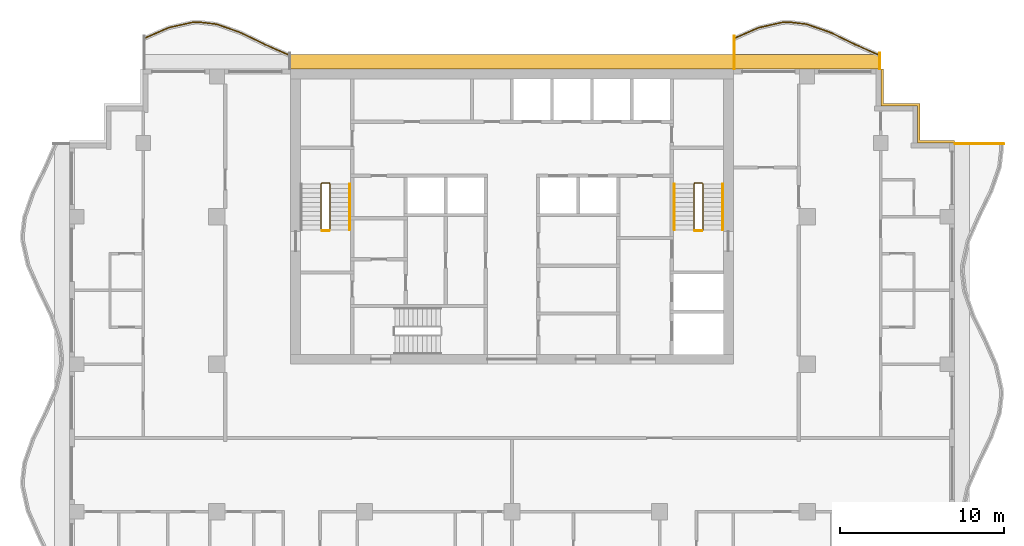
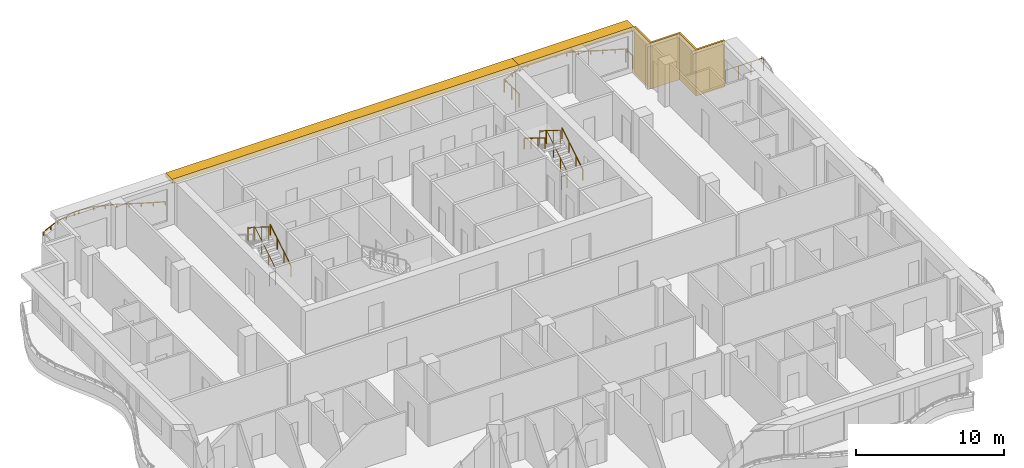
# One storey, part 11 of 11: 12 railings, 3 shading devices.
"""IFC4 building model written with IfcOpenShell, lengths in metres."""

from ifc_helpers import new_model, si_unit, direction, frame, origin, origin_2d, place, context, subcontext, project, spatial, polyline, rectangle, circle, outline, extrude, material, layer, layer_set, type_object, element, save


model = new_model("IFC4")

# Units and contexts
model_context = context("Model", 3, precision=1e-05, world=origin(), true_north=direction((0.0, 1.0)))
body_context = subcontext(model_context, "Body", "Model", "MODEL_VIEW")
ifc_project = project(units=[si_unit("LENGTHUNIT", "METRE"), si_unit("AREAUNIT", "SQUARE_METRE"), si_unit("VOLUMEUNIT", "CUBIC_METRE"), si_unit("PLANEANGLEUNIT", "RADIAN"), si_unit("MASSUNIT", "GRAM", prefix="KILO")], contexts=[model_context])

# Site, building, storey
site_placement = place(None, origin())
site = spatial("IfcSite", under=ifc_project, at=site_placement, CompositionType="ELEMENT")
building_placement = place(site_placement, origin())
building = spatial("IfcBuilding", under=site, at=building_placement, Name="Orbiselva Terraces", CompositionType="ELEMENT")
storey_placement = place(building_placement, frame((0.0, 0.0, 238.8)))
storey = spatial("IfcBuildingStorey", under=building, at=storey_placement, Name="L60", CompositionType="ELEMENT", Elevation=238.8)

# Railings
ifc_material_1 = material(Name="Stainless steel", Category="steel")
railing_type_1 = type_object("IfcRailingType", Name="CORE-GUARD-1100", PredefinedType="GUARDRAIL", material=ifc_material_1)
railing_1_placement = place(storey_placement, frame((-11.1, 12.7, 0.172727)))
element("IfcRailing", 1, at=railing_1_placement, inside=storey, type_object=railing_type_1, Name="L60 S1 stair guard 1", PredefinedType="GUARDRAIL", context=body_context, shape_type="SweptSolid", body=[
    extrude(circle(Radius=0.024, at=origin_2d()), frame((0.0, 0.0, 1.081), z_axis=(0.0, 0.851088519012, 0.52502222125), x_axis=(-1.0, 0.0, 0.0)), (0.0, 0.0, 1.0), 3.289905),
    extrude(circle(Radius=0.024, at=origin_2d()), frame((0.0, 2.8, 2.808273), z_axis=(-0.707106781187, 0.707106781187, 0.0), x_axis=(-0.707106781187, -0.707106781187, 0.0)), (0.0, 0.0, 1.0), 0.070711),
    extrude(circle(Radius=0.024, at=origin_2d()), frame((-0.05, 2.85, 2.808273), z_axis=(-1.0, 0.0, 0.0), x_axis=(0.0, -1.0, 0.0)), (0.0, 0.0, 1.0), 0.45),
    extrude(circle(Radius=0.024, at=origin_2d()), frame((-0.5, 2.85, 2.808273), z_axis=(-0.267894925557, -0.267894925557, 0.925453736133), x_axis=(0.707106781187, -0.707106781187, 0.0)), (0.0, 0.0, 1.0), 0.18664),
    extrude(circle(Radius=0.024, at=origin_2d()), frame((-0.55, 2.8, 2.981), z_axis=(0.0, -0.851088519012, 0.52502222125), x_axis=(1.0, 0.0, 0.0)), (0.0, 0.0, 1.0), 3.289905),
    extrude(circle(Radius=0.021, at=origin_2d()), origin(), (0.0, 0.0, 1.0), 1.057),
    extrude(circle(Radius=0.021, at=origin_2d()), frame((0.0, 0.933333, 0.575758)), (0.0, 0.0, 1.0), 1.057),
    extrude(circle(Radius=0.021, at=origin_2d()), frame((0.0, 1.866667, 1.151515)), (0.0, 0.0, 1.0), 1.057),
    extrude(circle(Radius=0.021, at=origin_2d()), frame((0.0, 2.8, 1.727273)), (0.0, 0.0, 1.0), 1.057),
    extrude(circle(Radius=0.021, at=origin_2d()), frame((-0.05, 2.85, 1.727273)), (0.0, 0.0, 1.0), 1.057),
    extrude(circle(Radius=0.021, at=origin_2d()), frame((-0.5, 2.85, 1.727273)), (0.0, 0.0, 1.0), 1.057),
    extrude(circle(Radius=0.021, at=origin_2d()), frame((-0.55, 2.8, 1.9)), (0.0, 0.0, 1.0), 1.057),
    extrude(circle(Radius=0.021, at=origin_2d()), frame((-0.55, 1.866667, 2.475758)), (0.0, 0.0, 1.0), 1.057),
    extrude(circle(Radius=0.021, at=origin_2d()), frame((-0.55, 0.933333, 3.051515)), (0.0, 0.0, 1.0), 1.057),
    extrude(circle(Radius=0.021, at=origin_2d()), frame((-0.55, 0.0, 3.627273)), (0.0, 0.0, 1.0), 1.057),
])
railing_2_placement = place(storey_placement, frame((-11.15, 12.65, 0.0)))
element("IfcRailing", 2, at=railing_2_placement, inside=storey, type_object=railing_type_1, Name="L60 S1 stair guard 2", PredefinedType="GUARDRAIL", context=body_context, shape_type="SweptSolid", body=[
    extrude(circle(Radius=0.024, at=origin_2d()), frame((0.0, 0.0, 1.081), z_axis=(-1.0, 0.0, 0.0), x_axis=(0.0, -1.0, 0.0)), (0.0, 0.0, 1.0), 0.45),
    extrude(circle(Radius=0.021, at=origin_2d()), origin(), (0.0, 0.0, 1.0), 1.057),
    extrude(circle(Radius=0.021, at=origin_2d()), frame((-0.45, 0.0, 0.0)), (0.0, 0.0, 1.0), 1.057),
])
railing_3_placement = place(storey_placement, frame((11.65, 12.7, 0.172727)))
element("IfcRailing", 3, at=railing_3_placement, inside=storey, type_object=railing_type_1, Name="L60 S2 stair guard 1", PredefinedType="GUARDRAIL", context=body_context, shape_type="SweptSolid", body=[
    extrude(circle(Radius=0.024, at=origin_2d()), frame((0.0, 0.0, 1.081), z_axis=(0.0, 0.851088519012, 0.52502222125), x_axis=(-1.0, 0.0, 0.0)), (0.0, 0.0, 1.0), 3.289905),
    extrude(circle(Radius=0.024, at=origin_2d()), frame((0.0, 2.8, 2.808273), z_axis=(-0.707106781187, 0.707106781187, 0.0), x_axis=(-0.707106781187, -0.707106781187, 0.0)), (0.0, 0.0, 1.0), 0.070711),
    extrude(circle(Radius=0.024, at=origin_2d()), frame((-0.05, 2.85, 2.808273), z_axis=(-1.0, 0.0, 0.0), x_axis=(0.0, -1.0, 0.0)), (0.0, 0.0, 1.0), 0.45),
    extrude(circle(Radius=0.024, at=origin_2d()), frame((-0.5, 2.85, 2.808273), z_axis=(-0.267894925557, -0.267894925557, 0.925453736133), x_axis=(0.707106781187, -0.707106781187, 0.0)), (0.0, 0.0, 1.0), 0.18664),
    extrude(circle(Radius=0.024, at=origin_2d()), frame((-0.55, 2.8, 2.981), z_axis=(0.0, -0.851088519012, 0.52502222125), x_axis=(1.0, 0.0, 0.0)), (0.0, 0.0, 1.0), 3.289905),
    extrude(circle(Radius=0.021, at=origin_2d()), origin(), (0.0, 0.0, 1.0), 1.057),
    extrude(circle(Radius=0.021, at=origin_2d()), frame((0.0, 0.933333, 0.575758)), (0.0, 0.0, 1.0), 1.057),
    extrude(circle(Radius=0.021, at=origin_2d()), frame((0.0, 1.866667, 1.151515)), (0.0, 0.0, 1.0), 1.057),
    extrude(circle(Radius=0.021, at=origin_2d()), frame((0.0, 2.8, 1.727273)), (0.0, 0.0, 1.0), 1.057),
    extrude(circle(Radius=0.021, at=origin_2d()), frame((-0.05, 2.85, 1.727273)), (0.0, 0.0, 1.0), 1.057),
    extrude(circle(Radius=0.021, at=origin_2d()), frame((-0.5, 2.85, 1.727273)), (0.0, 0.0, 1.0), 1.057),
    extrude(circle(Radius=0.021, at=origin_2d()), frame((-0.55, 2.8, 1.9)), (0.0, 0.0, 1.0), 1.057),
    extrude(circle(Radius=0.021, at=origin_2d()), frame((-0.55, 1.866667, 2.475758)), (0.0, 0.0, 1.0), 1.057),
    extrude(circle(Radius=0.021, at=origin_2d()), frame((-0.55, 0.933333, 3.051515)), (0.0, 0.0, 1.0), 1.057),
    extrude(circle(Radius=0.021, at=origin_2d()), frame((-0.55, 0.0, 3.627273)), (0.0, 0.0, 1.0), 1.057),
])
railing_4_placement = place(storey_placement, frame((11.6, 12.65, 0.0)))
element("IfcRailing", 4, at=railing_4_placement, inside=storey, type_object=railing_type_1, Name="L60 S2 stair guard 2", PredefinedType="GUARDRAIL", context=body_context, shape_type="SweptSolid", body=[
    extrude(circle(Radius=0.024, at=origin_2d()), frame((0.0, 0.0, 1.081), z_axis=(-1.0, 0.0, 0.0), x_axis=(0.0, -1.0, 0.0)), (0.0, 0.0, 1.0), 0.45),
    extrude(circle(Radius=0.021, at=origin_2d()), origin(), (0.0, 0.0, 1.0), 1.057),
    extrude(circle(Radius=0.021, at=origin_2d()), frame((-0.45, 0.0, 0.0)), (0.0, 0.0, 1.0), 1.057),
])
railing_type_2 = type_object("IfcRailingType", Name="CORE-HANDRAIL-900", PredefinedType="HANDRAIL", material=ifc_material_1)
for number, where, name in (
    (5, (-9.9, 12.7, 0.172727), "L60 S1 stair handrail 1"),
    (6, (12.85, 12.7, 0.172727), "L60 S2 stair handrail 1"),
):
    element("IfcRailing", number, at=place(storey_placement, frame(where)), inside=storey, type_object=railing_type_2, Name=name, PredefinedType="HANDRAIL", context=body_context, shape_type="SweptSolid", body=[
        extrude(circle(Radius=0.024, at=origin_2d()), frame((0.0, 0.0, 0.876), z_axis=(0.0, 0.851088519012, 0.52502222125), x_axis=(-1.0, 0.0, 0.0)), (0.0, 0.0, 1.0), 3.289905),
        extrude(circle(Radius=0.021, at=origin_2d()), origin(), (0.0, 0.0, 1.0), 0.852),
        extrude(circle(Radius=0.021, at=origin_2d()), frame((0.0, 0.933333, 0.575758)), (0.0, 0.0, 1.0), 0.852),
        extrude(circle(Radius=0.021, at=origin_2d()), frame((0.0, 1.866667, 1.151515)), (0.0, 0.0, 1.0), 0.852),
        extrude(circle(Radius=0.021, at=origin_2d()), frame((0.0, 2.8, 1.727273)), (0.0, 0.0, 1.0), 0.852),
    ])
railing_5_placement = place(storey_placement, frame((9.9, 15.5, 2.072727)))
element("IfcRailing", 7, at=railing_5_placement, inside=storey, type_object=railing_type_2, Name="L60 S2 stair handrail 2", PredefinedType="HANDRAIL", context=body_context, shape_type="SweptSolid", body=[
    extrude(circle(Radius=0.024, at=origin_2d()), frame((0.0, 0.0, 0.876), z_axis=(0.0, -0.851088519012, 0.52502222125), x_axis=(1.0, 0.0, 0.0)), (0.0, 0.0, 1.0), 3.289905),
    extrude(circle(Radius=0.021, at=origin_2d()), origin(), (0.0, 0.0, 1.0), 0.852),
    extrude(circle(Radius=0.021, at=origin_2d()), frame((0.0, -0.933333, 0.575758)), (0.0, 0.0, 1.0), 0.852),
    extrude(circle(Radius=0.021, at=origin_2d()), frame((0.0, -1.866667, 1.151515)), (0.0, 0.0, 1.0), 0.852),
    extrude(circle(Radius=0.021, at=origin_2d()), frame((0.0, -2.8, 1.727273)), (0.0, 0.0, 1.0), 0.852),
])
ifc_material_2 = material(Name="Bonded two-ply safety glass balustrade, stainless steel posts", Category="steel")
railing_type_3 = type_object("IfcRailingType", Name="ENV-BALUSTRADE-1200", PredefinedType="BALUSTRADE", material=ifc_material_2)
railing_6_placement = place(storey_placement, frame((22.449606, 23.33708, 0.9)))
element("IfcRailing", 8, at=railing_6_placement, inside=storey, type_object=railing_type_3, Name="Balcony balustrade L60 NE", PredefinedType="BALUSTRADE", context=body_context, shape_type="SweptSolid", body=[
    extrude(outline(polyline([(0.028868, 0.0), (0.014434, 0.025), (-0.014434, 0.025), (-0.028868, 0.0), (-0.014434, -0.025), (0.014434, -0.025), (0.028868, 0.0)])), frame((0.0, 0.0, 0.275), z_axis=(-0.915133394491, 0.403151175476, 0.0), x_axis=(-0.403151175476, -0.915133394491, 0.0)), (0.0, 0.0, 1.0), 1.641563),
    extrude(outline(polyline([(0.028868, 0.0), (0.014434, 0.025), (-0.014434, 0.025), (-0.028868, 0.0), (-0.014434, -0.025), (0.014434, -0.025), (0.028868, 0.0)])), frame((-1.502249, 0.661798, 0.275), z_axis=(-0.89857890432, 0.438811978768, 0.0), x_axis=(-0.438811978768, -0.89857890432, 0.0)), (0.0, 0.0, 1.0), 1.66438),
    extrude(outline(polyline([(0.028868, 0.0), (0.014434, 0.025), (-0.014434, 0.025), (-0.028868, 0.0), (-0.014434, -0.025), (0.014434, -0.025), (0.028868, 0.0)])), frame((-2.997826, 1.392148, 0.275), z_axis=(-0.943972277814, 0.330024754707, 0.0), x_axis=(-0.330024754707, -0.943972277814, 0.0)), (0.0, 0.0, 1.0), 1.567807),
    extrude(outline(polyline([(0.028868, 0.0), (0.014434, 0.025), (-0.014434, 0.025), (-0.028868, 0.0), (-0.014434, -0.025), (0.014434, -0.025), (0.028868, 0.0)])), frame((-4.477792, 1.909563, 0.275), z_axis=(-0.993309658409, 0.115481264762, 0.0), x_axis=(-0.115481264762, -0.993309658409, 0.0)), (0.0, 0.0, 1.0), 1.10902),
    extrude(outline(polyline([(0.028868, 0.0), (0.014434, 0.025), (-0.014434, 0.025), (-0.028868, 0.0), (-0.014434, -0.025), (0.014434, -0.025), (0.028868, 0.0)])), frame((-5.579392, 2.037634, 0.275), z_axis=(-0.999224931454, -0.039364150694, 0.0), x_axis=(0.039364150694, -0.999224931454, 0.0)), (0.0, 0.0, 1.0), 0.354206),
    extrude(outline(polyline([(0.028868, 0.0), (0.014434, 0.025), (-0.014434, 0.025), (-0.028868, 0.0), (-0.014434, -0.025), (0.014434, -0.025), (0.028868, 0.0)])), frame((-5.933323, 2.023691, 0.275), z_axis=(-0.975721325753, -0.219015740235, 0.0), x_axis=(0.219015740235, -0.975721325753, 0.0)), (0.0, 0.0, 1.0), 1.513782),
    extrude(outline(polyline([(0.028868, 0.0), (0.014434, 0.025), (-0.014434, 0.025), (-0.028868, 0.0), (-0.014434, -0.025), (0.014434, -0.025), (0.028868, 0.0)])), frame((-7.410352, 1.692149, 0.275), z_axis=(-0.915133311645, -0.403151363532, 0.0), x_axis=(0.403151363532, -0.915133311645, 0.0)), (0.0, 0.0, 1.0), 1.626932),
    extrude(rectangle(XDim=0.05, YDim=0.05, at=origin_2d()), origin(), (0.0, 0.0, 1.0), 0.25),
    extrude(rectangle(XDim=0.05, YDim=0.05, at=origin_2d()), frame((-0.751124, 0.330899, 0.0)), (0.0, 0.0, 1.0), 0.25),
    extrude(rectangle(XDim=0.05, YDim=0.05, at=origin_2d()), frame((-1.502249, 0.661798, 0.0)), (0.0, 0.0, 1.0), 0.25),
    extrude(rectangle(XDim=0.05, YDim=0.05, at=origin_2d()), frame((-2.250037, 1.026973, 0.0)), (0.0, 0.0, 1.0), 0.25),
    extrude(rectangle(XDim=0.05, YDim=0.05, at=origin_2d()), frame((-2.997826, 1.392148, 0.0)), (0.0, 0.0, 1.0), 0.25),
    extrude(rectangle(XDim=0.05, YDim=0.05, at=origin_2d()), frame((-3.737809, 1.650855, 0.0)), (0.0, 0.0, 1.0), 0.25),
    extrude(rectangle(XDim=0.05, YDim=0.05, at=origin_2d()), frame((-4.477792, 1.909563, 0.0)), (0.0, 0.0, 1.0), 0.25),
    extrude(rectangle(XDim=0.05, YDim=0.05, at=origin_2d()), frame((-5.579392, 2.037634, 0.0)), (0.0, 0.0, 1.0), 0.25),
    extrude(rectangle(XDim=0.05, YDim=0.05, at=origin_2d()), frame((-5.933323, 2.023691, 0.0)), (0.0, 0.0, 1.0), 0.25),
    extrude(rectangle(XDim=0.05, YDim=0.05, at=origin_2d()), frame((-6.671837, 1.85792, 0.0)), (0.0, 0.0, 1.0), 0.25),
    extrude(rectangle(XDim=0.05, YDim=0.05, at=origin_2d()), frame((-7.410352, 1.692149, 0.0)), (0.0, 0.0, 1.0), 0.25),
    extrude(rectangle(XDim=0.05, YDim=0.05, at=origin_2d()), frame((-8.154782, 1.364199, 0.0)), (0.0, 0.0, 1.0), 0.25),
    extrude(rectangle(XDim=0.05, YDim=0.05, at=origin_2d()), frame((-8.899212, 1.036249, 0.0)), (0.0, 0.0, 1.0), 0.25),
])
railing_7_placement = place(storey_placement, frame((-13.550394, 23.33708, 0.9)))
element("IfcRailing", 9, at=railing_7_placement, inside=storey, type_object=railing_type_3, Name="Balcony balustrade L60 NW", PredefinedType="BALUSTRADE", context=body_context, shape_type="SweptSolid", body=[
    extrude(outline(polyline([(0.028868, 0.0), (0.014434, 0.025), (-0.014434, 0.025), (-0.028868, 0.0), (-0.014434, -0.025), (0.014434, -0.025), (0.028868, 0.0)])), frame((0.0, 0.0, 0.275), z_axis=(-0.915133394491, 0.403151175476, 0.0), x_axis=(-0.403151175476, -0.915133394491, 0.0)), (0.0, 0.0, 1.0), 1.641563),
    extrude(outline(polyline([(0.028868, 0.0), (0.014434, 0.025), (-0.014434, 0.025), (-0.028868, 0.0), (-0.014434, -0.025), (0.014434, -0.025), (0.028868, 0.0)])), frame((-1.502249, 0.661798, 0.275), z_axis=(-0.89857890432, 0.438811978768, 0.0), x_axis=(-0.438811978768, -0.89857890432, 0.0)), (0.0, 0.0, 1.0), 1.66438),
    extrude(outline(polyline([(0.028868, 0.0), (0.014434, 0.025), (-0.014434, 0.025), (-0.028868, 0.0), (-0.014434, -0.025), (0.014434, -0.025), (0.028868, 0.0)])), frame((-2.997826, 1.392148, 0.275), z_axis=(-0.943972277814, 0.330024754707, 0.0), x_axis=(-0.330024754707, -0.943972277814, 0.0)), (0.0, 0.0, 1.0), 1.567807),
    extrude(outline(polyline([(0.028868, 0.0), (0.014434, 0.025), (-0.014434, 0.025), (-0.028868, 0.0), (-0.014434, -0.025), (0.014434, -0.025), (0.028868, 0.0)])), frame((-4.477792, 1.909563, 0.275), z_axis=(-0.993309658409, 0.115481264762, 0.0), x_axis=(-0.115481264762, -0.993309658409, 0.0)), (0.0, 0.0, 1.0), 1.10902),
    extrude(outline(polyline([(0.028868, 0.0), (0.014434, 0.025), (-0.014434, 0.025), (-0.028868, 0.0), (-0.014434, -0.025), (0.014434, -0.025), (0.028868, 0.0)])), frame((-5.579392, 2.037634, 0.275), z_axis=(-0.999224931454, -0.039364150694, 0.0), x_axis=(0.039364150694, -0.999224931454, 0.0)), (0.0, 0.0, 1.0), 0.354206),
    extrude(outline(polyline([(0.028868, 0.0), (0.014434, 0.025), (-0.014434, 0.025), (-0.028868, 0.0), (-0.014434, -0.025), (0.014434, -0.025), (0.028868, 0.0)])), frame((-5.933323, 2.023691, 0.275), z_axis=(-0.975721325753, -0.219015740235, 0.0), x_axis=(0.219015740235, -0.975721325753, 0.0)), (0.0, 0.0, 1.0), 1.513782),
    extrude(outline(polyline([(0.028868, 0.0), (0.014434, 0.025), (-0.014434, 0.025), (-0.028868, 0.0), (-0.014434, -0.025), (0.014434, -0.025), (0.028868, 0.0)])), frame((-7.410352, 1.692149, 0.275), z_axis=(-0.915133311645, -0.403151363532, 0.0), x_axis=(0.403151363532, -0.915133311645, 0.0)), (0.0, 0.0, 1.0), 1.626932),
    extrude(rectangle(XDim=0.05, YDim=0.05, at=origin_2d()), origin(), (0.0, 0.0, 1.0), 0.25),
    extrude(rectangle(XDim=0.05, YDim=0.05, at=origin_2d()), frame((-0.751124, 0.330899, 0.0)), (0.0, 0.0, 1.0), 0.25),
    extrude(rectangle(XDim=0.05, YDim=0.05, at=origin_2d()), frame((-1.502249, 0.661798, 0.0)), (0.0, 0.0, 1.0), 0.25),
    extrude(rectangle(XDim=0.05, YDim=0.05, at=origin_2d()), frame((-2.250037, 1.026973, 0.0)), (0.0, 0.0, 1.0), 0.25),
    extrude(rectangle(XDim=0.05, YDim=0.05, at=origin_2d()), frame((-2.997826, 1.392148, 0.0)), (0.0, 0.0, 1.0), 0.25),
    extrude(rectangle(XDim=0.05, YDim=0.05, at=origin_2d()), frame((-3.737809, 1.650855, 0.0)), (0.0, 0.0, 1.0), 0.25),
    extrude(rectangle(XDim=0.05, YDim=0.05, at=origin_2d()), frame((-4.477792, 1.909563, 0.0)), (0.0, 0.0, 1.0), 0.25),
    extrude(rectangle(XDim=0.05, YDim=0.05, at=origin_2d()), frame((-5.579392, 2.037634, 0.0)), (0.0, 0.0, 1.0), 0.25),
    extrude(rectangle(XDim=0.05, YDim=0.05, at=origin_2d()), frame((-5.933323, 2.023691, 0.0)), (0.0, 0.0, 1.0), 0.25),
    extrude(rectangle(XDim=0.05, YDim=0.05, at=origin_2d()), frame((-6.671837, 1.85792, 0.0)), (0.0, 0.0, 1.0), 0.25),
    extrude(rectangle(XDim=0.05, YDim=0.05, at=origin_2d()), frame((-7.410352, 1.692149, 0.0)), (0.0, 0.0, 1.0), 0.25),
    extrude(rectangle(XDim=0.05, YDim=0.05, at=origin_2d()), frame((-8.154782, 1.364199, 0.0)), (0.0, 0.0, 1.0), 0.25),
    extrude(rectangle(XDim=0.05, YDim=0.05, at=origin_2d()), frame((-8.899212, 1.036249, 0.0)), (0.0, 0.0, 1.0), 0.25),
])
ifc_material_3 = material(Name="Stainless steel rail and posts", Category="steel")
railing_type_4 = type_object("IfcRailingType", Name="ENV-GUARD-1105", PredefinedType="BALUSTRADE", material=ifc_material_3)
railing_8_placement = place(storey_placement, frame((29.989569, 17.94, 0.0)))
element("IfcRailing", 10, at=railing_8_placement, inside=storey, type_object=railing_type_4, Name="Balcony end guard L60 E", PredefinedType="BALUSTRADE", context=body_context, shape_type="SweptSolid", body=[
    extrude(outline(polyline([(0.028868, 0.0), (0.014434, 0.025), (-0.014434, 0.025), (-0.028868, 0.0), (-0.014434, -0.025), (0.014434, -0.025), (0.028868, 0.0)])), frame((0.0, 0.0, 1.08), z_axis=(-1.0, 0.0, 0.0), x_axis=(0.0, -1.0, 0.0)), (0.0, 0.0, 1.0), 2.964569),
    extrude(rectangle(XDim=0.05, YDim=0.05, at=origin_2d()), origin(), (0.0, 0.0, 1.0), 1.055),
    extrude(rectangle(XDim=0.05, YDim=0.05, at=origin_2d()), frame((-0.98819, 0.0, 0.0)), (0.0, 0.0, 1.0), 1.055),
    extrude(rectangle(XDim=0.05, YDim=0.05, at=origin_2d()), frame((-1.976379, 0.0, 0.0)), (0.0, 0.0, 1.0), 1.055),
    extrude(rectangle(XDim=0.05, YDim=0.05, at=origin_2d()), frame((-2.964569, 0.0, 0.0)), (0.0, 0.0, 1.0), 1.055),
])
railing_9_placement = place(storey_placement, frame((22.44, 23.473063, 0.0)))
element("IfcRailing", 11, at=railing_9_placement, inside=storey, type_object=railing_type_4, Name="Balcony end guard L60 NE", PredefinedType="BALUSTRADE", context=body_context, shape_type="SweptSolid", body=[
    extrude(outline(polyline([(0.028868, 0.0), (0.014434, 0.025), (-0.014434, 0.025), (-0.028868, 0.0), (-0.014434, -0.025), (0.014434, -0.025), (0.028868, 0.0)])), frame((0.0, 0.0, 1.08), z_axis=(0.0, -1.0, 0.0), x_axis=(1.0, 0.0, 0.0)), (0.0, 0.0, 1.0), 0.948063),
    extrude(rectangle(XDim=0.05, YDim=0.05, at=origin_2d()), origin(), (0.0, 0.0, 1.0), 1.055),
    extrude(rectangle(XDim=0.05, YDim=0.05, at=origin_2d()), frame((0.0, -0.948063, 0.0)), (0.0, 0.0, 1.0), 1.055),
])
railing_10_placement = place(storey_placement, frame((13.56, 24.517447, 0.0)))
element("IfcRailing", 12, at=railing_10_placement, inside=storey, type_object=railing_type_4, Name="Balcony end guard L60 NE", PredefinedType="BALUSTRADE", context=body_context, shape_type="SweptSolid", body=[
    extrude(outline(polyline([(0.028868, 0.0), (0.014434, 0.025), (-0.014434, 0.025), (-0.028868, 0.0), (-0.014434, -0.025), (0.014434, -0.025), (0.028868, 0.0)])), frame((0.0, 0.0, 1.08), z_axis=(0.0, -1.0, 0.0), x_axis=(1.0, 0.0, 0.0)), (0.0, 0.0, 1.0), 1.992447),
    extrude(rectangle(XDim=0.05, YDim=0.05, at=origin_2d()), origin(), (0.0, 0.0, 1.0), 1.055),
    extrude(rectangle(XDim=0.05, YDim=0.05, at=origin_2d()), frame((0.0, -0.996224, 0.0)), (0.0, 0.0, 1.0), 1.055),
    extrude(rectangle(XDim=0.05, YDim=0.05, at=origin_2d()), frame((0.0, -1.992447, 0.0)), (0.0, 0.0, 1.0), 1.055),
])

# Shading devices
ifc_material_4 = material(Name="Terracotta louvre screen", Category="masonry")
ifc_layer_1 = layer(ifc_material_4, 0.15)
ifc_layer_set_1 = layer_set([ifc_layer_1], Name="Terracotta louvre screen")
shading_device_type_1 = type_object("IfcShadingDeviceType", Name="ENV-SCREEN-150", PredefinedType="USERDEFINED", material=ifc_layer_set_1)
shading_device_1_placement = place(storey_placement, frame((0.0, 0.0, -0.3)))
element("IfcShadingDevice", 13, at=shading_device_1_placement, inside=storey, type_object=shading_device_type_1, Name="Louvre screen L60 NE", ObjectType="SCREEN", PredefinedType="USERDEFINED", context=body_context, shape_type="SweptSolid", body=[
    extrude(outline(polyline([(27.0, 18.15), (24.9, 18.15), (24.9, 20.4), (22.65, 20.4), (22.65, 22.5), (22.5, 22.5), (22.5, 20.25), (24.75, 20.25), (24.75, 18.0), (27.0, 18.0), (27.0, 18.15)])), origin(), (0.0, 0.0, 1.0), 3.8),
])
ifc_material_5 = material(Name="Terracotta baguette sunshade", Category="masonry")
ifc_layer_2 = layer(ifc_material_5, 0.35)
ifc_layer_set_2 = layer_set([ifc_layer_2], Name="Terracotta baguette sunshade")
shading_device_type_2 = type_object("IfcShadingDeviceType", Name="ENV-SUNSHADE-900x350", PredefinedType="USERDEFINED", material=ifc_layer_set_2)
shading_device_2_placement = place(storey_placement, frame((0.0, 0.0, 3.15)))
element("IfcShadingDevice", 14, at=shading_device_2_placement, inside=storey, type_object=shading_device_type_2, Name="Sunshade band L60 NE", ObjectType="SUNSHADE", PredefinedType="USERDEFINED", context=body_context, shape_type="SweptSolid", body=[
    extrude(outline(polyline([(22.5, 23.4), (13.5, 23.4), (13.5, 22.5), (22.5, 22.5), (22.5, 23.4)])), origin(), (0.0, 0.0, 1.0), 0.35),
])
shading_device_3_placement = place(storey_placement, frame((0.0, 0.0, 3.15)))
element("IfcShadingDevice", 15, at=shading_device_3_placement, inside=storey, type_object=shading_device_type_2, Name="Sunshade band L60 CORE NORTH", ObjectType="SUNSHADE", PredefinedType="USERDEFINED", context=body_context, shape_type="SweptSolid", body=[
    extrude(outline(polyline([(13.5, 23.4), (-13.5, 23.4), (-13.5, 22.5), (13.5, 22.5), (13.5, 23.4)])), origin(), (0.0, 0.0, 1.0), 0.35),
])

save(model, "model.ifc")
